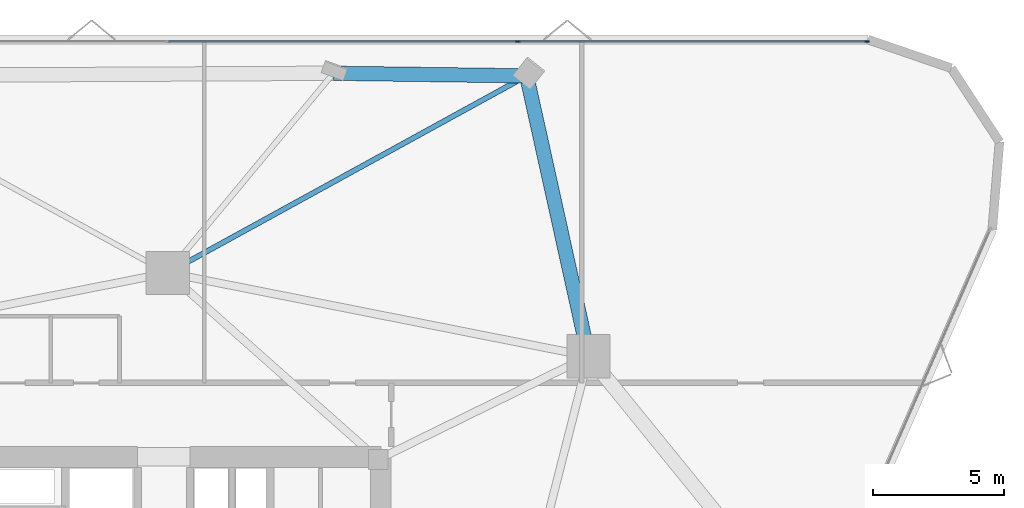
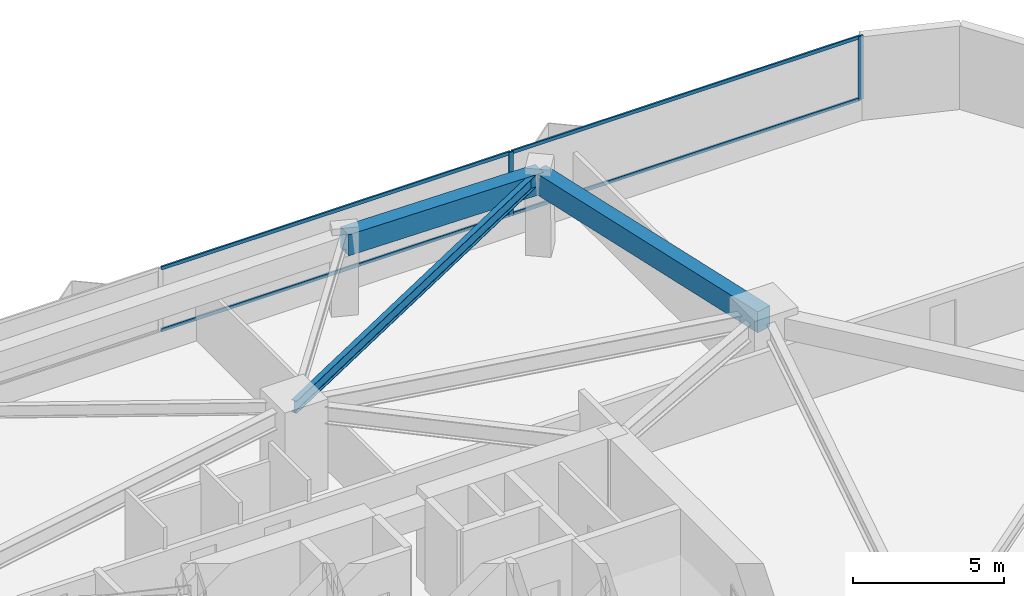
# One storey, part 12 of 19: 6 members, 3 beams, 1 element without a shape of its own.
"""IFC4 building model written with IfcOpenShell, lengths in metres."""

from ifc_helpers import new_model, si_unit, direction, frame, origin, origin_2d, place, context, subcontext, project, spatial, rectangle, i_section, extrude, material, layer, layer_set, material_profile, profile_set, type_object, element, aggregate, save


model = new_model("IFC4")

# Units and contexts
model_context = context("Model", 3, precision=1e-05, world=origin(), true_north=direction((0.0, 1.0)))
body_context = subcontext(model_context, "Body", "Model", "MODEL_VIEW")
ifc_project = project(units=[si_unit("LENGTHUNIT", "METRE"), si_unit("AREAUNIT", "SQUARE_METRE"), si_unit("VOLUMEUNIT", "CUBIC_METRE"), si_unit("PLANEANGLEUNIT", "RADIAN"), si_unit("MASSUNIT", "GRAM", prefix="KILO")], contexts=[model_context])

# Site, building, storey
site_placement = place(None, origin())
site = spatial("IfcSite", under=ifc_project, at=site_placement, CompositionType="ELEMENT")
building_placement = place(site_placement, origin())
building = spatial("IfcBuilding", under=site, at=building_placement, Name="Talyreon Biosciences Tower", CompositionType="ELEMENT")
storey_placement = place(building_placement, frame((0.0, 0.0, 85.949951171875)))
storey = spatial("IfcBuildingStorey", under=building, at=storey_placement, Name="L22", CompositionType="ELEMENT", Elevation=85.949951171875)

# Curtain wall, members
ifc_material_1 = material(Name="Thermally broken aluminium and low-E glazing", Category="aluminium")
ifc_layer = layer(ifc_material_1, 0.18994140625)
ifc_layer_set = layer_set([ifc_layer], Name="Thermally broken aluminium and low-E glazing")
curtain_wall_type = type_object("IfcCurtainWallType", Name="CurtainWall_Zone2Genomics", PredefinedType="NOTDEFINED", material=ifc_layer_set)
curtain_wall_placement = place(storey_placement, origin())
curtain_wall = element("IfcCurtainWall", 1, at=curtain_wall_placement, inside=storey, type_object=curtain_wall_type, Name="L22 Unitised Curtain Wall FCW-L22-04", PredefinedType="NOTDEFINED")
ifc_material_2 = material(Name="Anodised thermally broken aluminium", Category="aluminium")
ifc_material_profile_1 = material_profile(ifc_material_2, rectangle(XDim=0.06494140625, YDim=0.179931640625, at=origin_2d()), Name="ALUM MULLION 65x180")
ifc_profile_set_1 = profile_set([ifc_material_profile_1], Name="Anodised thermally broken aluminium")
member_type_1 = type_object("IfcMemberType", Name="CWMullion_65x180", PredefinedType="MULLION", material=ifc_profile_set_1)
member_1_placement = place(storey_placement, frame((79.392333984375, 90.64013671875, 0.81005859375), z_axis=(0.0, 0.0, 1.0), x_axis=(0.0, 1.0, 0.0)))
member_1 = element("IfcMember", 2, at=member_1_placement, type_object=member_type_1, Name="CW3 mullion 4", PredefinedType="MULLION", context=body_context, shape_type="SweptSolid", body=[
    extrude(rectangle(XDim=0.06494140625, YDim=0.179931640625, at=origin_2d()), origin(), (0.0, 0.0, 1.0), 2.56494140625),
])
member_2_placement = place(storey_placement, frame((92.752197265625, 90.64013671875, 0.81005859375), z_axis=(0.0, 0.0, 1.0), x_axis=(0.0, 1.0, 0.0)))
member_2 = element("IfcMember", 3, at=member_2_placement, type_object=member_type_1, Name="CW3 mullion 5", PredefinedType="MULLION", context=body_context, shape_type="SweptSolid", body=[
    extrude(rectangle(XDim=0.06494140625, YDim=0.179931640625, at=origin_2d()), origin(), (0.0, 0.0, 1.0), 2.56494140625),
])
ifc_material_profile_2 = material_profile(ifc_material_2, rectangle(XDim=0.06494140625, YDim=0.139892578125, at=origin_2d()), Name="ALUM TRANSOM 65x140")
ifc_profile_set_2 = profile_set([ifc_material_profile_2], Name="Anodised thermally broken aluminium")
member_type_2 = type_object("IfcMemberType", Name="CWTransom_65x140", PredefinedType="USERDEFINED", material=ifc_profile_set_2)
member_3_placement = place(storey_placement, frame((66.032470703125, 90.64013671875, 0.842529296875), z_axis=(1.0, 0.0, 0.0), x_axis=(0.0, 1.0, 0.0)))
member_3 = element("IfcMember", 4, at=member_3_placement, type_object=member_type_2, Name="CW3 transom 3.1", ObjectType="TRANSOM", PredefinedType="USERDEFINED", context=body_context, shape_type="SweptSolid", body=[
    extrude(rectangle(XDim=0.06494140625, YDim=0.139892578125, at=origin_2d()), origin(), (0.0, 0.0, 1.0), 13.327392578125),
])
member_4_placement = place(storey_placement, frame((66.032470703125, 90.64013671875, 3.342529296875), z_axis=(1.0, 0.0, 0.0), x_axis=(0.0, 1.0, 0.0)))
member_4 = element("IfcMember", 5, at=member_4_placement, type_object=member_type_2, Name="CW3 transom 3.2", ObjectType="TRANSOM", PredefinedType="USERDEFINED", context=body_context, shape_type="SweptSolid", body=[
    extrude(rectangle(XDim=0.06494140625, YDim=0.139892578125, at=origin_2d()), origin(), (0.0, 0.0, 1.0), 13.327392578125),
])
member_5_placement = place(storey_placement, frame((79.4248046875, 90.64013671875, 0.842529296875), z_axis=(1.0, 0.0, 0.0), x_axis=(0.0, 1.0, 0.0)))
member_5 = element("IfcMember", 6, at=member_5_placement, type_object=member_type_2, Name="CW3 transom 4.1", ObjectType="TRANSOM", PredefinedType="USERDEFINED", context=body_context, shape_type="SweptSolid", body=[
    extrude(rectangle(XDim=0.06494140625, YDim=0.139892578125, at=origin_2d()), origin(), (0.0, 0.0, 1.0), 13.294677734375),
])
member_6_placement = place(storey_placement, frame((79.4248046875, 90.64013671875, 3.342529296875), z_axis=(1.0, 0.0, 0.0), x_axis=(0.0, 1.0, 0.0)))
member_6 = element("IfcMember", 7, at=member_6_placement, type_object=member_type_2, Name="CW3 transom 4.2", ObjectType="TRANSOM", PredefinedType="USERDEFINED", context=body_context, shape_type="SweptSolid", body=[
    extrude(rectangle(XDim=0.06494140625, YDim=0.139892578125, at=origin_2d()), origin(), (0.0, 0.0, 1.0), 13.294677734375),
])
aggregate(curtain_wall, [member_1, member_2, member_3, member_4, member_5, member_6])

# Beams
ifc_material_3 = material(Name="Precast concrete C45/55", Category="concrete")
ifc_material_profile_3 = material_profile(ifc_material_3, rectangle(XDim=0.550048828125, YDim=0.85009765625, at=origin_2d()), Name="RCB 550x850")
ifc_profile_set_3 = profile_set([ifc_material_profile_3], Name="Precast concrete C45/55")
beam_type_1 = type_object("IfcBeamType", Name="ExpressedSpandrel_550x850", PredefinedType="SPANDREL", material=ifc_profile_set_3)
beam_1_placement = place(storey_placement, frame((82.102294921875, 78.5986328125, 2.949951171875), z_axis=(-0.2157655436, 0.976445200815, 0.0), x_axis=(-0.976445200815, -0.2157655436, 0.0)))
element("IfcBeam", 8, at=beam_1_placement, inside=storey, type_object=beam_type_1, Name="L22 Expressed Horizontal Concrete Spandrel 05", PredefinedType="SPANDREL", context=body_context, shape_type="SweptSolid", body=[
    extrude(rectangle(XDim=0.550048828125, YDim=0.85009765625, at=origin_2d()), origin(), (0.0, 0.0, 1.0), 10.98583984375),
])
beam_2_placement = place(storey_placement, frame((79.73193359375, 89.32568359375, 2.949951171875), z_axis=(-0.999908379176, 0.013536367809, 0.0), x_axis=(-0.013536367809, -0.999908379176, 0.0)))
element("IfcBeam", 9, at=beam_2_placement, inside=storey, type_object=beam_type_1, Name="L22 Expressed Horizontal Concrete Spandrel 06", PredefinedType="SPANDREL", context=body_context, shape_type="SweptSolid", body=[
    extrude(rectangle(XDim=0.550048828125, YDim=0.85009765625, at=origin_2d()), origin(), (0.0, 0.0, 1.0), 7.394775390625),
])
ifc_material_4 = material(Name="Steel SM355", Category="steel")
ifc_material_profile_4 = material_profile(ifc_material_4, i_section(OverallWidth=0.199951171875, OverallDepth=0.5, WebThickness=0.01025390625, FlangeThickness=0.01611328125, FilletRadius=0.02099609375, at=origin_2d()), Name="IPE500")
ifc_profile_set_4 = profile_set([ifc_material_profile_4], Name="Steel SM355")
beam_type_2 = type_object("IfcBeamType", Name="SteelJoist_IPE500", PredefinedType="JOIST", material=ifc_profile_set_4)
beam_3_placement = place(storey_placement, frame((66.0, 81.788818359375, 3.125), z_axis=(0.876638750681, 0.481149146113, 0.0), x_axis=(-0.481149146113, 0.876638750681, 0.0)))
element("IfcBeam", 10, at=beam_3_placement, inside=storey, type_object=beam_type_2, Name="L22 Radial Composite Floor Joist PC-N1", PredefinedType="JOIST", context=body_context, shape_type="SweptSolid", body=[
    extrude(i_section(OverallWidth=0.199951171875, OverallDepth=0.5, WebThickness=0.01025390625, FlangeThickness=0.01611328125, FilletRadius=0.02099609375, at=origin_2d()), origin(), (0.0, 0.0, 1.0), 15.664306640625),
])

save(model, "model.ifc")
